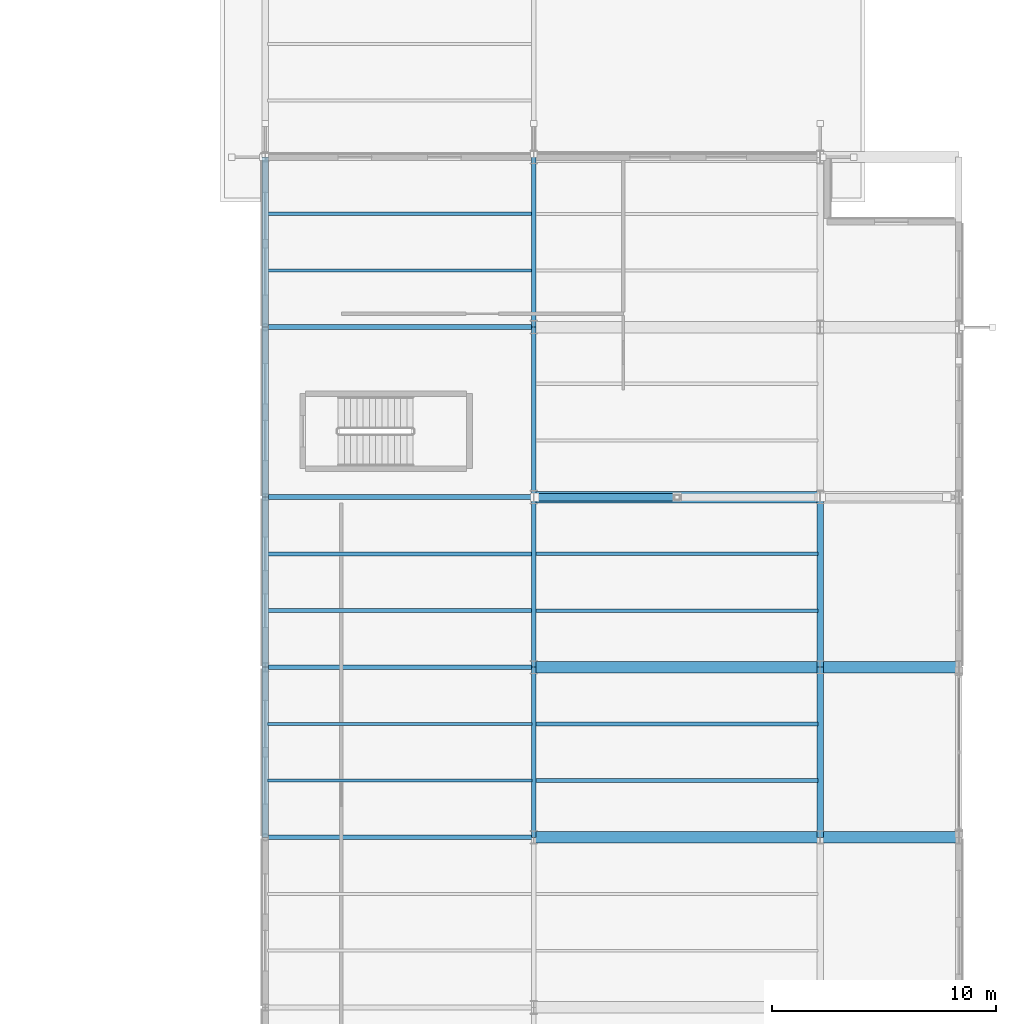
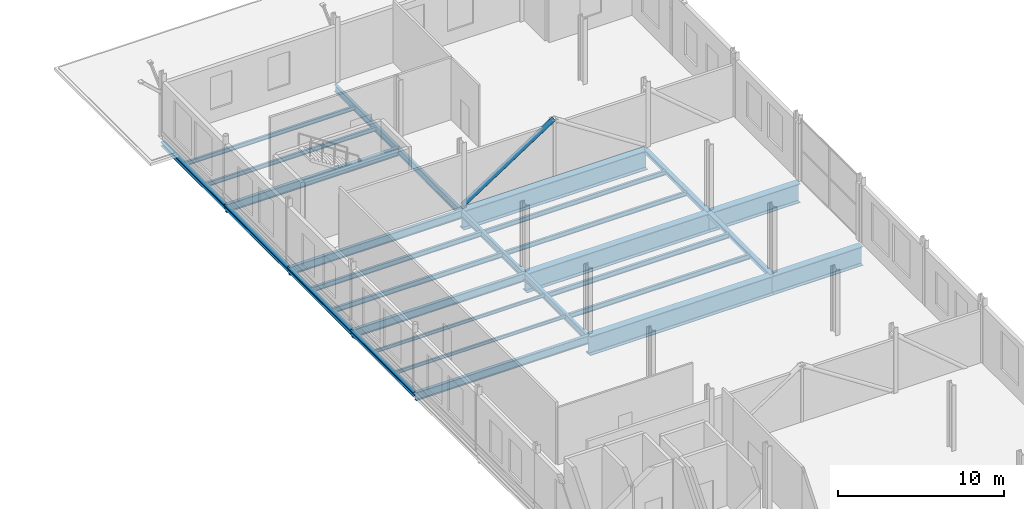
# One storey, part 72 of 120: 29 beams, 1 member.
"""IFC4 building model written with IfcOpenShell, lengths in metres."""

from ifc_helpers import new_model, si_unit, direction, frame, origin, origin_2d, place, context, subcontext, project, spatial, hollow_circle, i_section, extrude, material, material_profile, profile_set, type_object, element, save


model = new_model("IFC4")

# Units and contexts
model_context = context("Model", 3, precision=1e-05, world=origin(), true_north=direction((0.0, 1.0)))
body_context = subcontext(model_context, "Body", "Model", "MODEL_VIEW")
ifc_project = project(units=[si_unit("LENGTHUNIT", "METRE"), si_unit("AREAUNIT", "SQUARE_METRE"), si_unit("VOLUMEUNIT", "CUBIC_METRE"), si_unit("PLANEANGLEUNIT", "RADIAN"), si_unit("MASSUNIT", "GRAM", prefix="KILO")], contexts=[model_context])

# Site, building, storey
site_placement = place(None, origin())
site = spatial("IfcSite", under=ifc_project, at=site_placement, CompositionType="ELEMENT")
building_placement = place(site_placement, origin())
building = spatial("IfcBuilding", under=site, at=building_placement, Name="Vekula Escarpment Museum", CompositionType="ELEMENT")
storey_placement = place(building_placement, frame((0.0, 0.0, 13.199951171875)))
storey = spatial("IfcBuildingStorey", under=building, at=storey_placement, Name="L03", CompositionType="ELEMENT", Elevation=13.199951171875)

# Beams
ifc_material_1 = material(Name="Steel S355", Category="steel")
ifc_material_profile_1 = material_profile(ifc_material_1, i_section(OverallWidth=0.5, OverallDepth=1.39990234375, WebThickness=0.02392578125, FlangeThickness=0.0400390625, FilletRadius=0.02392578125, at=origin_2d()), Name="WPG 1400x500")
ifc_profile_set_1 = profile_set([ifc_material_profile_1], Name="Steel S355")
beam_type_1 = type_object("IfcBeamType", Name="BM-CUMBA-GIRD", PredefinedType="BEAM", material=ifc_profile_set_1)
for number, where, z_axis, x_axis, name in (
    (1, (179.0, 98.0, -0.97998046875), (1.0, 0.0, 0.0), (0.0, 1.0, 0.0), "Beam X L03 1428"),
    (2, (179.0, 105.60009765625, -0.97998046875), (1.0, 0.0, 0.0), (0.0, 1.0, 0.0), "Beam X L03 1432"),
    (3, (179.0, 113.199951171875, -0.97998046875), (1.0, 0.0, 0.0), (0.0, 1.0, 0.0), "Beam X L03 1441"),
):
    element("IfcBeam", number, at=place(storey_placement, frame(where, z_axis=z_axis, x_axis=x_axis)), inside=storey, type_object=beam_type_1, Name=name, PredefinedType="BEAM", context=body_context, shape_type="SweptSolid", body=[
        extrude(i_section(OverallWidth=0.5, OverallDepth=1.39990234375, WebThickness=0.02392578125, FlangeThickness=0.0400390625, FilletRadius=0.02392578125, at=origin_2d()), origin(), (0.0, 0.0, 1.0), 12.800048828125),
    ])
for number, where, z_axis, x_axis, name in (
    (4, (191.800048828125, 98.0, -0.97998046875), (1.0, 0.0, 0.0), (0.0, 1.0, 0.0), "Cumba Cantilever Transfer Girder L03 2369"),
    (5, (191.800048828125, 105.60009765625, -0.97998046875), (1.0, 0.0, 0.0), (0.0, 1.0, 0.0), "Cumba Cantilever Transfer Girder L03 2370"),
):
    element("IfcBeam", number, at=place(storey_placement, frame(where, z_axis=z_axis, x_axis=x_axis)), inside=storey, type_object=beam_type_1, Name=name, PredefinedType="BEAM", context=body_context, shape_type="SweptSolid", body=[
        extrude(i_section(OverallWidth=0.5, OverallDepth=1.39990234375, WebThickness=0.02392578125, FlangeThickness=0.0400390625, FilletRadius=0.02392578125, at=origin_2d()), origin(), (0.0, 0.0, 1.0), 6.199951171875),
    ])
ifc_material_2 = material(Name="Steel S355", Category="steel")
ifc_material_profile_2 = material_profile(ifc_material_2, i_section(OverallWidth=0.199951171875, OverallDepth=0.5, WebThickness=0.01025390625, FlangeThickness=0.01611328125, FilletRadius=0.02099609375, at=origin_2d()), Name="IPE 500")
ifc_profile_set_2 = profile_set([ifc_material_profile_2], Name="Steel S355")
beam_type_2 = type_object("IfcBeamType", Name="BM-GIRD-IPE500", PredefinedType="BEAM", material=ifc_profile_set_2)
beam_1_placement = place(storey_placement, frame((179.0, 98.0, -0.530029296875), z_axis=(0.0, 1.0, 0.0), x_axis=(-1.0, 0.0, 0.0)))
element("IfcBeam", 6, at=beam_1_placement, inside=storey, type_object=beam_type_2, Name="Beam Y L03 1668", PredefinedType="BEAM", context=body_context, shape_type="SweptSolid", body=[
    extrude(i_section(OverallWidth=0.199951171875, OverallDepth=0.5, WebThickness=0.01025390625, FlangeThickness=0.01611328125, FilletRadius=0.02099609375, at=origin_2d()), origin(), (0.0, 0.0, 1.0), 7.60009765625),
])
beam_2_placement = place(storey_placement, frame((179.0, 105.60009765625, -0.530029296875), z_axis=(0.0, 1.0, 0.0), x_axis=(-1.0, 0.0, 0.0)))
element("IfcBeam", 7, at=beam_2_placement, inside=storey, type_object=beam_type_2, Name="Beam Y L03 1669", PredefinedType="BEAM", context=body_context, shape_type="SweptSolid", body=[
    extrude(i_section(OverallWidth=0.199951171875, OverallDepth=0.5, WebThickness=0.01025390625, FlangeThickness=0.01611328125, FilletRadius=0.02099609375, at=origin_2d()), origin(), (0.0, 0.0, 1.0), 7.599853515625),
])
beam_3_placement = place(storey_placement, frame((179.0, 113.199951171875, -0.530029296875), z_axis=(0.0, 1.0, 0.0), x_axis=(-1.0, 0.0, 0.0)))
element("IfcBeam", 8, at=beam_3_placement, inside=storey, type_object=beam_type_2, Name="Beam Y L03 1670", PredefinedType="BEAM", context=body_context, shape_type="SweptSolid", body=[
    extrude(i_section(OverallWidth=0.199951171875, OverallDepth=0.5, WebThickness=0.01025390625, FlangeThickness=0.01611328125, FilletRadius=0.02099609375, at=origin_2d()), origin(), (0.0, 0.0, 1.0), 7.60009765625),
])
beam_4_placement = place(storey_placement, frame((179.0, 120.800048828125, -0.530029296875), z_axis=(0.0, 1.0, 0.0), x_axis=(-1.0, 0.0, 0.0)))
element("IfcBeam", 9, at=beam_4_placement, inside=storey, type_object=beam_type_2, Name="Beam Y L03 1671", PredefinedType="BEAM", context=body_context, shape_type="SweptSolid", body=[
    extrude(i_section(OverallWidth=0.199951171875, OverallDepth=0.5, WebThickness=0.01025390625, FlangeThickness=0.01611328125, FilletRadius=0.02099609375, at=origin_2d()), origin(), (0.0, 0.0, 1.0), 7.599853515625),
])
ifc_material_3 = material(Name="Steel S355", Category="steel")
ifc_material_profile_3 = material_profile(ifc_material_3, i_section(OverallWidth=0.219970703125, OverallDepth=0.60009765625, WebThickness=0.011962890625, FlangeThickness=0.01904296875, FilletRadius=0.02392578125, at=origin_2d()), Name="IPE 600")
ifc_profile_set_3 = profile_set([ifc_material_profile_3], Name="Steel S355")
beam_type_3 = type_object("IfcBeamType", Name="BM-GIRD-IPE600", PredefinedType="BEAM", material=ifc_profile_set_3)
for number, where, z_axis, x_axis, name in (
    (10, (167.0, 98.0, -0.579833984375), (1.0, 0.0, 0.0), (0.0, 1.0, 0.0), "Beam X L03 1427"),
    (11, (167.0, 105.60009765625, -0.579833984375), (1.0, 0.0, 0.0), (0.0, 1.0, 0.0), "Beam X L03 1431"),
    (12, (167.0, 113.199951171875, -0.579833984375), (1.0, 0.0, 0.0), (0.0, 1.0, 0.0), "Beam X L03 1440"),
    (13, (167.0, 120.800048828125, -0.579833984375), (1.0, 0.0, 0.0), (0.0, 1.0, 0.0), "Beam X L03 1453"),
):
    element("IfcBeam", number, at=place(storey_placement, frame(where, z_axis=z_axis, x_axis=x_axis)), inside=storey, type_object=beam_type_3, Name=name, PredefinedType="BEAM", context=body_context, shape_type="SweptSolid", body=[
        extrude(i_section(OverallWidth=0.219970703125, OverallDepth=0.60009765625, WebThickness=0.011962890625, FlangeThickness=0.01904296875, FilletRadius=0.02392578125, at=origin_2d()), origin(), (0.0, 0.0, 1.0), 12.0),
    ])
ifc_material_4 = material(Name="Steel S355", Category="steel")
ifc_material_profile_4 = material_profile(ifc_material_4, i_section(OverallWidth=0.1201171875, OverallDepth=0.239990234375, WebThickness=0.006103515625, FlangeThickness=0.009765625, FilletRadius=0.014892578125, at=origin_2d()), Name="IPE 240")
ifc_profile_set_4 = profile_set([ifc_material_profile_4], Name="Steel S355")
beam_type_4 = type_object("IfcBeamType", Name="BM-JST-IPE240", PredefinedType="JOIST", material=ifc_profile_set_4)
for number, where, z_axis, x_axis, name in (
    (14, (167.090087890625, 100.533203125, -0.39990234375), (1.0, 0.0, 0.0), (0.0, 1.0, 0.0), "Secondary Joist L03 1108"),
    (15, (167.090087890625, 103.066650390625, -0.39990234375), (1.0, 0.0, 0.0), (0.0, 1.0, 0.0), "Secondary Joist L03 1109"),
):
    element("IfcBeam", number, at=place(storey_placement, frame(where, z_axis=z_axis, x_axis=x_axis)), inside=storey, type_object=beam_type_4, Name=name, PredefinedType="JOIST", context=body_context, shape_type="SweptSolid", body=[
        extrude(i_section(OverallWidth=0.1201171875, OverallDepth=0.239990234375, WebThickness=0.006103515625, FlangeThickness=0.009765625, FilletRadius=0.014892578125, at=origin_2d()), origin(), (0.0, 0.0, 1.0), 11.81982421875),
    ])
ifc_material_5 = material(Name="Steel S355", Category="steel")
ifc_material_profile_5 = material_profile(ifc_material_5, i_section(OverallWidth=0.14990234375, OverallDepth=0.300048828125, WebThickness=0.007080078125, FlangeThickness=0.0107421875, FilletRadius=0.014892578125, at=origin_2d()), Name="IPE 300")
ifc_profile_set_5 = profile_set([ifc_material_profile_5], Name="Steel S355")
beam_type_5 = type_object("IfcBeamType", Name="BM-JST-IPE300", PredefinedType="JOIST", material=ifc_profile_set_5)
for number, where, z_axis, x_axis, name in (
    (16, (167.090087890625, 123.333251953125, -0.429931640625), (1.0, 0.0, 0.0), (0.0, 1.0, 0.0), "Secondary Joist L03 1112"),
    (17, (167.090087890625, 125.86669921875, -0.429931640625), (1.0, 0.0, 0.0), (0.0, 1.0, 0.0), "Secondary Joist L03 1113"),
):
    element("IfcBeam", number, at=place(storey_placement, frame(where, z_axis=z_axis, x_axis=x_axis)), inside=storey, type_object=beam_type_5, Name=name, PredefinedType="JOIST", context=body_context, shape_type="SweptSolid", body=[
        extrude(i_section(OverallWidth=0.14990234375, OverallDepth=0.300048828125, WebThickness=0.007080078125, FlangeThickness=0.0107421875, FilletRadius=0.014892578125, at=origin_2d()), origin(), (0.0, 0.0, 1.0), 11.81982421875),
    ])
ifc_material_6 = material(Name="Steel S355", Category="steel")
ifc_material_profile_6 = material_profile(ifc_material_6, i_section(OverallWidth=0.159912109375, OverallDepth=0.330078125, WebThickness=0.007568359375, FlangeThickness=0.011474609375, FilletRadius=0.01806640625, at=origin_2d()), Name="IPE 330")
ifc_profile_set_6 = profile_set([ifc_material_profile_6], Name="Steel S355")
beam_type_6 = type_object("IfcBeamType", Name="BM-JST-IPE330", PredefinedType="JOIST", material=ifc_profile_set_6)
for number, where, z_axis, x_axis, name in (
    (18, (179.090087890625, 108.13330078125, -0.445068359375), (1.0, 0.0, 0.0), (0.0, 1.0, 0.0), "Secondary Joist L03 1127"),
    (19, (179.090087890625, 110.666748046875, -0.445068359375), (1.0, 0.0, 0.0), (0.0, 1.0, 0.0), "Secondary Joist L03 1128"),
):
    element("IfcBeam", number, at=place(storey_placement, frame(where, z_axis=z_axis, x_axis=x_axis)), inside=storey, type_object=beam_type_6, Name=name, PredefinedType="JOIST", context=body_context, shape_type="SweptSolid", body=[
        extrude(i_section(OverallWidth=0.159912109375, OverallDepth=0.330078125, WebThickness=0.007568359375, FlangeThickness=0.011474609375, FilletRadius=0.01806640625, at=origin_2d()), origin(), (0.0, 0.0, 1.0), 12.619873046875),
    ])
ifc_material_7 = material(Name="Steel S355", Category="steel")
ifc_material_profile_7 = material_profile(ifc_material_7, i_section(OverallWidth=0.169921875, OverallDepth=0.360107421875, WebThickness=0.008056640625, FlangeThickness=0.0126953125, FilletRadius=0.01806640625, at=origin_2d()), Name="IPE 360")
ifc_profile_set_7 = profile_set([ifc_material_profile_7], Name="Steel S355")
beam_type_7 = type_object("IfcBeamType", Name="BM-JST-IPE360", PredefinedType="JOIST", material=ifc_profile_set_7)
for number, where, z_axis, x_axis, name in (
    (20, (167.090087890625, 108.13330078125, -0.4599609375), (1.0, 0.0, 0.0), (0.0, 1.0, 0.0), "Secondary Joist L03 1110"),
    (21, (167.090087890625, 110.666748046875, -0.4599609375), (1.0, 0.0, 0.0), (0.0, 1.0, 0.0), "Secondary Joist L03 1111"),
):
    element("IfcBeam", number, at=place(storey_placement, frame(where, z_axis=z_axis, x_axis=x_axis)), inside=storey, type_object=beam_type_7, Name=name, PredefinedType="JOIST", context=body_context, shape_type="SweptSolid", body=[
        extrude(i_section(OverallWidth=0.169921875, OverallDepth=0.360107421875, WebThickness=0.008056640625, FlangeThickness=0.0126953125, FilletRadius=0.01806640625, at=origin_2d()), origin(), (0.0, 0.0, 1.0), 11.81982421875),
    ])
for number, where, z_axis, x_axis, name in (
    (22, (179.090087890625, 100.533203125, -0.4599609375), (1.0, 0.0, 0.0), (0.0, 1.0, 0.0), "Secondary Joist L03 1125"),
    (23, (179.090087890625, 103.066650390625, -0.4599609375), (1.0, 0.0, 0.0), (0.0, 1.0, 0.0), "Secondary Joist L03 1126"),
):
    element("IfcBeam", number, at=place(storey_placement, frame(where, z_axis=z_axis, x_axis=x_axis)), inside=storey, type_object=beam_type_7, Name=name, PredefinedType="JOIST", context=body_context, shape_type="SweptSolid", body=[
        extrude(i_section(OverallWidth=0.169921875, OverallDepth=0.360107421875, WebThickness=0.008056640625, FlangeThickness=0.0126953125, FilletRadius=0.01806640625, at=origin_2d()), origin(), (0.0, 0.0, 1.0), 12.619873046875),
    ])
ifc_material_8 = material(Name="Steel S355", Category="steel")
ifc_material_profile_8 = material_profile(ifc_material_8, i_section(OverallWidth=0.300048828125, OverallDepth=0.2900390625, WebThickness=0.008544921875, FlangeThickness=0.013916015625, FilletRadius=0.027099609375, at=origin_2d()), Name="HEA 300")
ifc_profile_set_8 = profile_set([ifc_material_profile_8], Name="Steel S355")
beam_type_8 = type_object("IfcBeamType", Name="BM-SPAN-HEA300", PredefinedType="SPANDREL", material=ifc_profile_set_8)
beam_5_placement = place(storey_placement, frame((167.0, 98.0, -0.425048828125), z_axis=(0.0, 1.0, 0.0), x_axis=(-1.0, 0.0, 0.0)))
element("IfcBeam", 24, at=beam_5_placement, inside=storey, type_object=beam_type_8, Name="Beam Y L03 1652", PredefinedType="SPANDREL", context=body_context, shape_type="SweptSolid", body=[
    extrude(i_section(OverallWidth=0.300048828125, OverallDepth=0.2900390625, WebThickness=0.008544921875, FlangeThickness=0.013916015625, FilletRadius=0.027099609375, at=origin_2d()), origin(), (0.0, 0.0, 1.0), 7.60009765625),
])
beam_6_placement = place(storey_placement, frame((167.0, 105.60009765625, -0.425048828125), z_axis=(0.0, 1.0, 0.0), x_axis=(-1.0, 0.0, 0.0)))
element("IfcBeam", 25, at=beam_6_placement, inside=storey, type_object=beam_type_8, Name="Beam Y L03 1653", PredefinedType="SPANDREL", context=body_context, shape_type="SweptSolid", body=[
    extrude(i_section(OverallWidth=0.300048828125, OverallDepth=0.2900390625, WebThickness=0.008544921875, FlangeThickness=0.013916015625, FilletRadius=0.027099609375, at=origin_2d()), origin(), (0.0, 0.0, 1.0), 7.599853515625),
])
beam_7_placement = place(storey_placement, frame((167.0, 113.199951171875, -0.425048828125), z_axis=(0.0, 1.0, 0.0), x_axis=(-1.0, 0.0, 0.0)))
element("IfcBeam", 26, at=beam_7_placement, inside=storey, type_object=beam_type_8, Name="Beam Y L03 1654", PredefinedType="SPANDREL", context=body_context, shape_type="SweptSolid", body=[
    extrude(i_section(OverallWidth=0.300048828125, OverallDepth=0.2900390625, WebThickness=0.008544921875, FlangeThickness=0.013916015625, FilletRadius=0.027099609375, at=origin_2d()), origin(), (0.0, 0.0, 1.0), 7.60009765625),
])
beam_8_placement = place(storey_placement, frame((167.0, 120.800048828125, -0.425048828125), z_axis=(0.0, 1.0, 0.0), x_axis=(-1.0, 0.0, 0.0)))
element("IfcBeam", 27, at=beam_8_placement, inside=storey, type_object=beam_type_8, Name="Beam Y L03 1655", PredefinedType="SPANDREL", context=body_context, shape_type="SweptSolid", body=[
    extrude(i_section(OverallWidth=0.300048828125, OverallDepth=0.2900390625, WebThickness=0.008544921875, FlangeThickness=0.013916015625, FilletRadius=0.027099609375, at=origin_2d()), origin(), (0.0, 0.0, 1.0), 7.599853515625),
])
beam_9_placement = place(storey_placement, frame((191.800048828125, 98.0, -0.425048828125), z_axis=(0.0, 1.0, 0.0), x_axis=(-1.0, 0.0, 0.0)))
element("IfcBeam", 28, at=beam_9_placement, inside=storey, type_object=beam_type_8, Name="Beam Y L03 1679", PredefinedType="SPANDREL", context=body_context, shape_type="SweptSolid", body=[
    extrude(i_section(OverallWidth=0.300048828125, OverallDepth=0.2900390625, WebThickness=0.008544921875, FlangeThickness=0.013916015625, FilletRadius=0.027099609375, at=origin_2d()), origin(), (0.0, 0.0, 1.0), 7.60009765625),
])
beam_10_placement = place(storey_placement, frame((191.800048828125, 105.60009765625, -0.425048828125), z_axis=(0.0, 1.0, 0.0), x_axis=(-1.0, 0.0, 0.0)))
element("IfcBeam", 29, at=beam_10_placement, inside=storey, type_object=beam_type_8, Name="Beam Y L03 1680", PredefinedType="SPANDREL", context=body_context, shape_type="SweptSolid", body=[
    extrude(i_section(OverallWidth=0.300048828125, OverallDepth=0.2900390625, WebThickness=0.008544921875, FlangeThickness=0.013916015625, FilletRadius=0.027099609375, at=origin_2d()), origin(), (0.0, 0.0, 1.0), 7.599853515625),
])

# Member
ifc_material_9 = material(Name="Steel S355", Category="steel")
ifc_material_profile_9 = material_profile(ifc_material_9, hollow_circle(Radius=0.161865234375, WallThickness=0.01611328125, at=origin_2d()), Name="CHS 323.9x16")
ifc_profile_set_9 = profile_set([ifc_material_profile_9], Name="Steel S355")
member_type = type_object("IfcMemberType", Name="MB-PRATT-DIAG", PredefinedType="BRACE", material=ifc_profile_set_9)
member_placement = place(storey_placement, frame((179.050048828125, 113.199951171875, 0.02001953125), z_axis=(0.838279367684, 0.0, 0.545240957481), x_axis=(0.0, 1.0, 0.0)))
element("IfcMember", 30, at=member_placement, inside=storey, type_object=member_type, Name="Transfer Truss Back-Span Diagonal 03B1", PredefinedType="BRACE", context=body_context, shape_type="SweptSolid", body=[
    extrude(hollow_circle(Radius=0.161865234375, WallThickness=0.01611328125, at=origin_2d()), origin(), (0.0, 0.0, 1.0), 7.574951171875),
])

save(model, "model.ifc")
